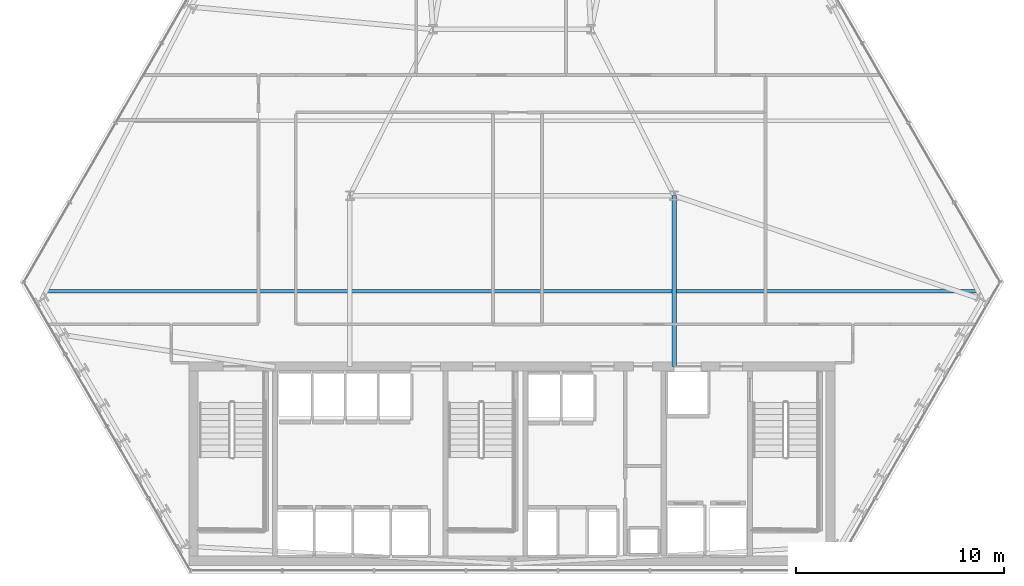
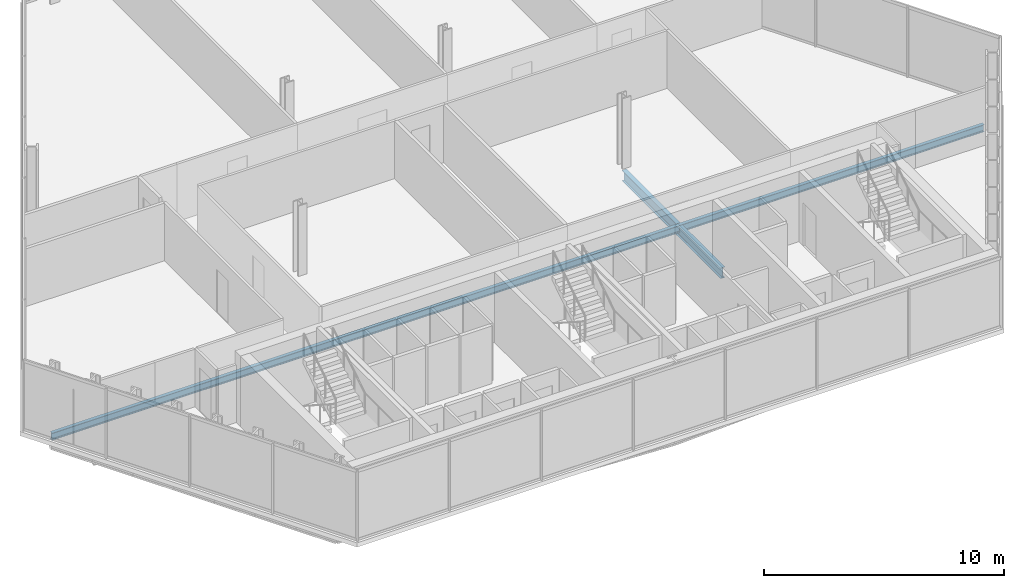
# One storey, part 9 of 32: 2 beams.
"""IFC4 building model written with IfcOpenShell, lengths in metres."""

from ifc_helpers import new_model, si_unit, direction, frame, origin, origin_2d, place, context, subcontext, project, spatial, i_section, extrude, material, material_profile, profile_set, type_object, element, save


model = new_model("IFC4")

# Units and contexts
model_context = context("Model", 3, precision=1e-05, world=origin(), true_north=direction((0.0, 1.0)))
body_context = subcontext(model_context, "Body", "Model", "MODEL_VIEW")
ifc_project = project(units=[si_unit("LENGTHUNIT", "METRE"), si_unit("AREAUNIT", "SQUARE_METRE"), si_unit("VOLUMEUNIT", "CUBIC_METRE"), si_unit("PLANEANGLEUNIT", "RADIAN"), si_unit("MASSUNIT", "GRAM", prefix="KILO")], contexts=[model_context])

# Site, building, storey
site_placement = place(None, origin())
site = spatial("IfcSite", under=ifc_project, at=site_placement, CompositionType="ELEMENT")
building_placement = place(site_placement, origin())
building = spatial("IfcBuilding", under=site, at=building_placement, Name="Ndaravel Arena Tower", CompositionType="ELEMENT")
storey_placement = place(building_placement, frame((0.0, 0.0, 51.199951171875)))
storey = spatial("IfcBuildingStorey", under=building, at=storey_placement, Name="L10", CompositionType="ELEMENT", Elevation=51.199951171875)

# Beams
ifc_material_1 = material(Name="Steel S355", Category="steel")
ifc_material_profile_1 = material_profile(ifc_material_1, i_section(OverallWidth=0.210693359375, OverallDepth=0.53955078125, WebThickness=0.01171875, FlangeThickness=0.018798828125, FilletRadius=0.0126953125, at=origin_2d()), Name="UB 533x210x109")
ifc_profile_set_1 = profile_set([ifc_material_profile_1], Name="Steel S355")
beam_type_1 = type_object("IfcBeamType", Name="BM-GIRD-UB533", PredefinedType="BEAM", material=ifc_profile_set_1)
beam_1_placement = place(storey_placement, frame((49.800048828125, 14.97998046875, -0.48974609375), z_axis=(0.0, 1.0, 0.0), x_axis=(-1.0, 0.0, 0.0)))
element("IfcBeam", 1, at=beam_1_placement, inside=storey, type_object=beam_type_1, Name="L10 Spine Link Girder SLG-02", PredefinedType="BEAM", context=body_context, shape_type="SweptSolid", body=[
    extrude(i_section(OverallWidth=0.210693359375, OverallDepth=0.53955078125, WebThickness=0.01171875, FlangeThickness=0.018798828125, FilletRadius=0.0126953125, at=origin_2d()), origin(), (0.0, 0.0, 1.0), 8.219970703125),
])
ifc_material_2 = material(Name="Steel S355", Category="steel")
ifc_material_profile_2 = material_profile(ifc_material_2, i_section(OverallWidth=0.169921875, OverallDepth=0.360107421875, WebThickness=0.008056640625, FlangeThickness=0.0126953125, FilletRadius=0.01806640625, at=origin_2d()), Name="IPE 360")
ifc_profile_set_2 = profile_set([ifc_material_profile_2], Name="Steel S355")
beam_type_2 = type_object("IfcBeamType", Name="BM-JOIST-IPE360", PredefinedType="JOIST", material=ifc_profile_set_2)
beam_2_placement = place(storey_placement, frame((19.57275390625, 18.60009765625, -0.39990234375), z_axis=(1.0, 0.0, 0.0), x_axis=(0.0, 1.0, 0.0)))
element("IfcBeam", 2, at=beam_2_placement, inside=storey, type_object=beam_type_2, Name="L10 Composite Floor Joist FJ-01", PredefinedType="JOIST", context=body_context, shape_type="SweptSolid", body=[
    extrude(i_section(OverallWidth=0.169921875, OverallDepth=0.360107421875, WebThickness=0.008056640625, FlangeThickness=0.0126953125, FilletRadius=0.01806640625, at=origin_2d()), origin(), (0.0, 0.0, 1.0), 44.8544921875),
])

save(model, "model.ifc")
